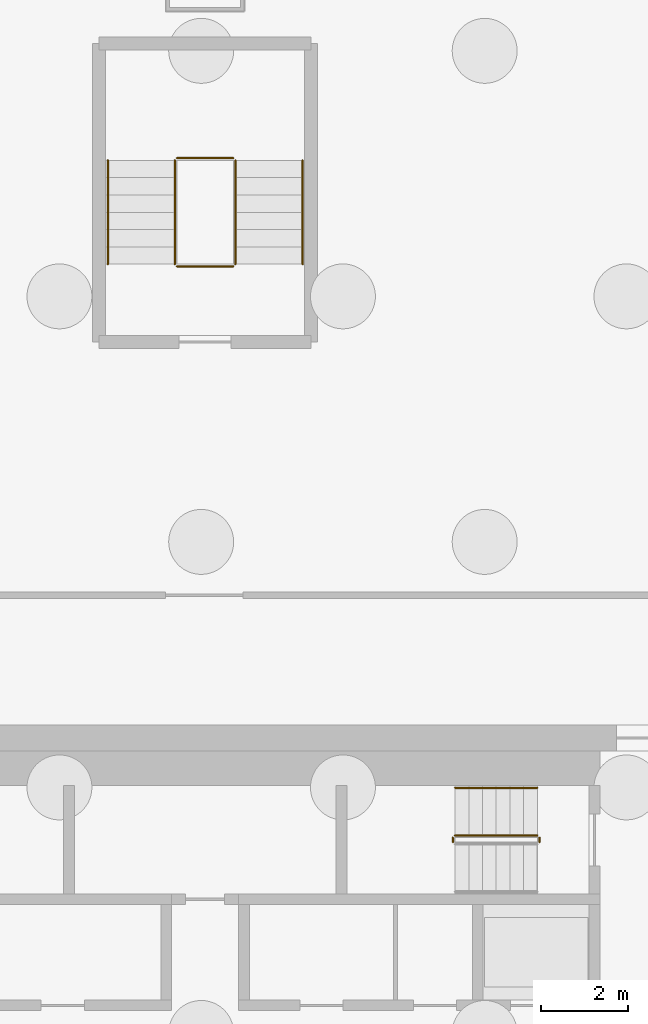
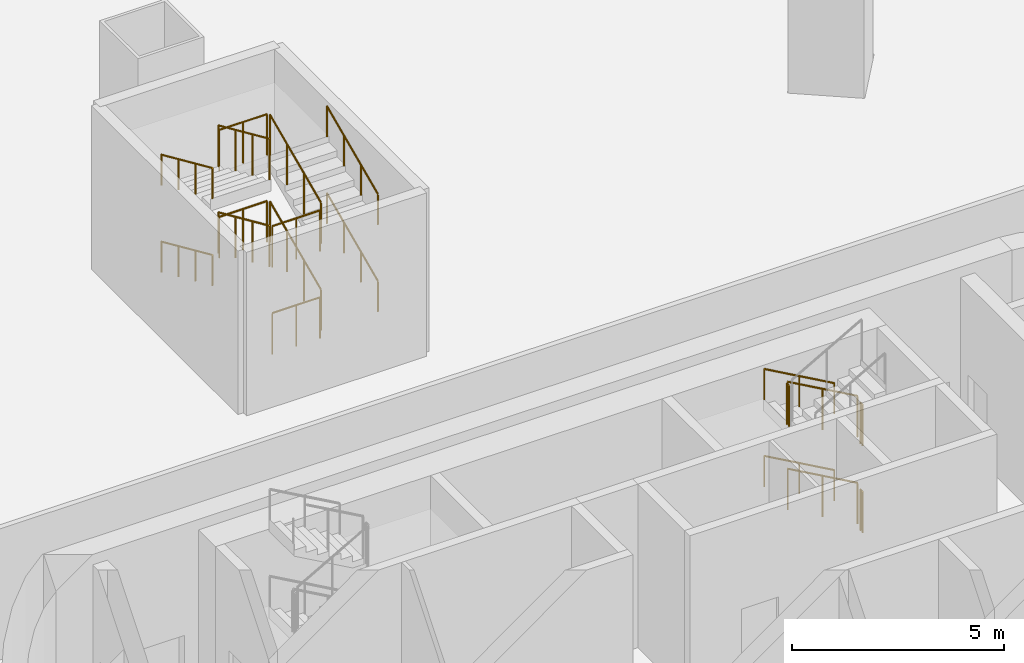
# One storey, part 18 of 19: 19 railings.
"""IFC4 building model written with IfcOpenShell, lengths in metres."""

from ifc_helpers import new_model, si_unit, direction, frame, origin, origin_2d, place, context, subcontext, project, spatial, circle, extrude, material, type_object, element, save


model = new_model("IFC4")

# Units and contexts
model_context = context("Model", 3, precision=1e-05, world=origin(), true_north=direction((0.0, 1.0)))
body_context = subcontext(model_context, "Body", "Model", "MODEL_VIEW")
ifc_project = project(units=[si_unit("LENGTHUNIT", "METRE"), si_unit("AREAUNIT", "SQUARE_METRE"), si_unit("VOLUMEUNIT", "CUBIC_METRE"), si_unit("PLANEANGLEUNIT", "RADIAN"), si_unit("MASSUNIT", "GRAM", prefix="KILO")], contexts=[model_context])

# Site, building, storey
site_placement = place(None, origin())
site = spatial("IfcSite", under=ifc_project, at=site_placement, CompositionType="ELEMENT")
building_placement = place(site_placement, origin())
building = spatial("IfcBuilding", under=site, at=building_placement, Name="Sahrelin Media Tower", CompositionType="ELEMENT")
storey_placement = place(building_placement, frame((0.0, 0.0, -5.0)))
storey = spatial("IfcBuildingStorey", under=building, at=storey_placement, Name="B1", CompositionType="ELEMENT", Elevation=-5.0)

# Railings
ifc_material = material(Name="Steel S355", Category="steel")
railing_type_1 = type_object("IfcRailingType", Name="Stair guard 1200", PredefinedType="GUARDRAIL", material=ifc_material)
railing_1_placement = place(storey_placement, frame((7.675048828125, 5.449951171875, 0.178466796875)))
element("IfcRailing", 1, at=railing_1_placement, inside=storey, type_object=railing_type_1, Name="B1 ST3 stair guard 1", PredefinedType="GUARDRAIL", context=body_context, shape_type="SweptSolid", body=[
    extrude(circle(Radius=0.02392578125, at=origin_2d()), frame((0.0, 0.0, 1.17578125), z_axis=(-0.871046000135, 0.0, 0.491201451188), x_axis=(0.0, -1.0, 0.0)), (0.0, 0.0, 1.0), 2.181396484375),
    extrude(circle(Radius=0.02099609375, at=origin_2d()), origin(), (0.0, 0.0, 1.0), 1.15185546875),
    extrude(circle(Radius=0.02099609375, at=origin_2d()), frame((-0.9501953125, 0.0, 0.53564453125)), (0.0, 0.0, 1.0), 1.15185546875),
    extrude(circle(Radius=0.02099609375, at=origin_2d()), frame((-1.900146484375, 0.0, 1.071533203125)), (0.0, 0.0, 1.0), 1.15185546875),
])
railing_2_placement = place(storey_placement, frame((7.72509765625, 5.39990234375, 2.5)))
element("IfcRailing", 2, at=railing_2_placement, inside=storey, type_object=railing_type_1, Name="B1 ST3 stair guard 4", PredefinedType="GUARDRAIL", context=body_context, shape_type="SweptSolid", body=[
    extrude(circle(Radius=0.02392578125, at=origin_2d()), frame((0.0, 0.0, 1.17578125), z_axis=(0.0, -1.0, 0.0), x_axis=(1.0, 0.0, 0.0)), (0.0, 0.0, 1.0), 0.099853515625),
    extrude(circle(Radius=0.02099609375, at=origin_2d()), origin(), (0.0, 0.0, 1.0), 1.15185546875),
    extrude(circle(Radius=0.02099609375, at=origin_2d()), frame((0.0, -0.099853515625, 0.0)), (0.0, 0.0, 1.0), 1.15185546875),
])
railing_3_placement = place(storey_placement, frame((7.675048828125, 5.449951171875, 2.678466796875)))
element("IfcRailing", 3, at=railing_3_placement, inside=storey, type_object=railing_type_1, Name="B1 ST3 stair guard 5", PredefinedType="GUARDRAIL", context=body_context, shape_type="SweptSolid", body=[
    extrude(circle(Radius=0.02392578125, at=origin_2d()), frame((0.0, 0.0, 1.17578125), z_axis=(-0.871046000135, 0.0, 0.491201451188), x_axis=(0.0, -1.0, 0.0)), (0.0, 0.0, 1.0), 2.181396484375),
    extrude(circle(Radius=0.02099609375, at=origin_2d()), origin(), (0.0, 0.0, 1.0), 1.15185546875),
    extrude(circle(Radius=0.02099609375, at=origin_2d()), frame((-0.9501953125, 0.0, 0.53564453125)), (0.0, 0.0, 1.0), 1.15185546875),
    extrude(circle(Radius=0.02099609375, at=origin_2d()), frame((-1.900146484375, 0.0, 1.071533203125)), (0.0, 0.0, 1.0), 1.15185546875),
])
for number, where, name in (
    (4, (5.72509765625, 5.39990234375, 3.75), "B1 ST3 stair guard 6"),
    (5, (7.72509765625, 5.39990234375, 0.0), "B1 ST3 stair guard 8"),
):
    element("IfcRailing", number, at=place(storey_placement, frame(where)), inside=storey, type_object=railing_type_1, Name=name, PredefinedType="GUARDRAIL", context=body_context, shape_type="SweptSolid", body=[
        extrude(circle(Radius=0.02392578125, at=origin_2d()), frame((0.0, 0.0, 1.17578125), z_axis=(0.0, -1.0, 0.0), x_axis=(1.0, 0.0, 0.0)), (0.0, 0.0, 1.0), 0.099853515625),
        extrude(circle(Radius=0.02099609375, at=origin_2d()), origin(), (0.0, 0.0, 1.0), 1.15185546875),
        extrude(circle(Radius=0.02099609375, at=origin_2d()), frame((0.0, -0.099853515625, 0.0)), (0.0, 0.0, 1.0), 1.15185546875),
    ])
railing_4_placement = place(storey_placement, frame((0.699951171875, 18.64990234375, 0.178466796875)))
element("IfcRailing", 6, at=railing_4_placement, inside=storey, type_object=railing_type_1, Name="B1 BS1 stair guard 1", PredefinedType="GUARDRAIL", context=body_context, shape_type="SweptSolid", body=[
    extrude(circle(Radius=0.02392578125, at=origin_2d()), frame((0.0, 0.0, 1.17578125), z_axis=(0.0, 0.913132325675, 0.407663287294), x_axis=(-1.0, 0.0, 0.0)), (0.0, 0.0, 1.0), 2.62841796875),
    extrude(circle(Radius=0.02099609375, at=origin_2d()), origin(), (0.0, 0.0, 1.0), 1.15185546875),
    extrude(circle(Radius=0.02099609375, at=origin_2d()), frame((0.0, 0.800048828125, 0.357177734375)), (0.0, 0.0, 1.0), 1.15185546875),
    extrude(circle(Radius=0.02099609375, at=origin_2d()), frame((0.0, 1.60009765625, 0.71435546875)), (0.0, 0.0, 1.0), 1.15185546875),
    extrude(circle(Radius=0.02099609375, at=origin_2d()), frame((0.0, 2.400146484375, 1.071533203125)), (0.0, 0.0, 1.0), 1.15185546875),
])
railing_5_placement = place(storey_placement, frame((0.64990234375, 21.10009765625, 1.25)))
element("IfcRailing", 7, at=railing_5_placement, inside=storey, type_object=railing_type_1, Name="B1 BS1 stair guard 2", PredefinedType="GUARDRAIL", context=body_context, shape_type="SweptSolid", body=[
    extrude(circle(Radius=0.02392578125, at=origin_2d()), frame((0.0, 0.0, 1.17578125), z_axis=(-1.0, 0.0, 0.0), x_axis=(0.0, -1.0, 0.0)), (0.0, 0.0, 1.0), 1.2998046875),
    extrude(circle(Radius=0.02099609375, at=origin_2d()), origin(), (0.0, 0.0, 1.0), 1.15185546875),
    extrude(circle(Radius=0.02099609375, at=origin_2d()), frame((-0.64990234375, 0.0, 0.0)), (0.0, 0.0, 1.0), 1.15185546875),
    extrude(circle(Radius=0.02099609375, at=origin_2d()), frame((-1.2998046875, 0.0, 0.0)), (0.0, 0.0, 1.0), 1.15185546875),
])
railing_6_placement = place(storey_placement, frame((-0.699951171875, 21.050048828125, 1.428466796875)))
element("IfcRailing", 8, at=railing_6_placement, inside=storey, type_object=railing_type_1, Name="B1 BS1 stair guard 3", PredefinedType="GUARDRAIL", context=body_context, shape_type="SweptSolid", body=[
    extrude(circle(Radius=0.02392578125, at=origin_2d()), frame((0.0, 0.0, 1.17578125), z_axis=(0.0, -0.913132325675, 0.407663287294), x_axis=(1.0, 0.0, 0.0)), (0.0, 0.0, 1.0), 2.62841796875),
    extrude(circle(Radius=0.02099609375, at=origin_2d()), origin(), (0.0, 0.0, 1.0), 1.15185546875),
    extrude(circle(Radius=0.02099609375, at=origin_2d()), frame((0.0, -0.800048828125, 0.357177734375)), (0.0, 0.0, 1.0), 1.15185546875),
    extrude(circle(Radius=0.02099609375, at=origin_2d()), frame((0.0, -1.60009765625, 0.71435546875)), (0.0, 0.0, 1.0), 1.15185546875),
    extrude(circle(Radius=0.02099609375, at=origin_2d()), frame((0.0, -2.400146484375, 1.071533203125)), (0.0, 0.0, 1.0), 1.15185546875),
])
railing_7_placement = place(storey_placement, frame((0.64990234375, 18.60009765625, 2.5)))
element("IfcRailing", 9, at=railing_7_placement, inside=storey, type_object=railing_type_1, Name="B1 BS1 stair guard 4", PredefinedType="GUARDRAIL", context=body_context, shape_type="SweptSolid", body=[
    extrude(circle(Radius=0.02392578125, at=origin_2d()), frame((0.0, 0.0, 1.17578125), z_axis=(-1.0, 0.0, 0.0), x_axis=(0.0, -1.0, 0.0)), (0.0, 0.0, 1.0), 1.2998046875),
    extrude(circle(Radius=0.02099609375, at=origin_2d()), origin(), (0.0, 0.0, 1.0), 1.15185546875),
    extrude(circle(Radius=0.02099609375, at=origin_2d()), frame((-0.64990234375, 0.0, 0.0)), (0.0, 0.0, 1.0), 1.15185546875),
    extrude(circle(Radius=0.02099609375, at=origin_2d()), frame((-1.2998046875, 0.0, 0.0)), (0.0, 0.0, 1.0), 1.15185546875),
])
railing_8_placement = place(storey_placement, frame((0.699951171875, 18.64990234375, 2.678466796875)))
element("IfcRailing", 10, at=railing_8_placement, inside=storey, type_object=railing_type_1, Name="B1 BS1 stair guard 5", PredefinedType="GUARDRAIL", context=body_context, shape_type="SweptSolid", body=[
    extrude(circle(Radius=0.02392578125, at=origin_2d()), frame((0.0, 0.0, 1.17578125), z_axis=(0.0, 0.913132325675, 0.407663287294), x_axis=(-1.0, 0.0, 0.0)), (0.0, 0.0, 1.0), 2.62841796875),
    extrude(circle(Radius=0.02099609375, at=origin_2d()), origin(), (0.0, 0.0, 1.0), 1.15185546875),
    extrude(circle(Radius=0.02099609375, at=origin_2d()), frame((0.0, 0.800048828125, 0.357177734375)), (0.0, 0.0, 1.0), 1.15185546875),
    extrude(circle(Radius=0.02099609375, at=origin_2d()), frame((0.0, 1.60009765625, 0.71435546875)), (0.0, 0.0, 1.0), 1.15185546875),
    extrude(circle(Radius=0.02099609375, at=origin_2d()), frame((0.0, 2.400146484375, 1.071533203125)), (0.0, 0.0, 1.0), 1.15185546875),
])
railing_9_placement = place(storey_placement, frame((0.64990234375, 21.10009765625, 3.75)))
element("IfcRailing", 11, at=railing_9_placement, inside=storey, type_object=railing_type_1, Name="B1 BS1 stair guard 6", PredefinedType="GUARDRAIL", context=body_context, shape_type="SweptSolid", body=[
    extrude(circle(Radius=0.02392578125, at=origin_2d()), frame((0.0, 0.0, 1.17578125), z_axis=(-1.0, 0.0, 0.0), x_axis=(0.0, -1.0, 0.0)), (0.0, 0.0, 1.0), 1.2998046875),
    extrude(circle(Radius=0.02099609375, at=origin_2d()), origin(), (0.0, 0.0, 1.0), 1.15185546875),
    extrude(circle(Radius=0.02099609375, at=origin_2d()), frame((-0.64990234375, 0.0, 0.0)), (0.0, 0.0, 1.0), 1.15185546875),
    extrude(circle(Radius=0.02099609375, at=origin_2d()), frame((-1.2998046875, 0.0, 0.0)), (0.0, 0.0, 1.0), 1.15185546875),
])
railing_10_placement = place(storey_placement, frame((-0.699951171875, 21.050048828125, 3.928466796875)))
element("IfcRailing", 12, at=railing_10_placement, inside=storey, type_object=railing_type_1, Name="B1 BS1 stair guard 7", PredefinedType="GUARDRAIL", context=body_context, shape_type="SweptSolid", body=[
    extrude(circle(Radius=0.02392578125, at=origin_2d()), frame((0.0, 0.0, 1.17578125), z_axis=(0.0, -0.913132325675, 0.407663287294), x_axis=(1.0, 0.0, 0.0)), (0.0, 0.0, 1.0), 2.62841796875),
    extrude(circle(Radius=0.02099609375, at=origin_2d()), origin(), (0.0, 0.0, 1.0), 1.15185546875),
    extrude(circle(Radius=0.02099609375, at=origin_2d()), frame((0.0, -0.800048828125, 0.357177734375)), (0.0, 0.0, 1.0), 1.15185546875),
    extrude(circle(Radius=0.02099609375, at=origin_2d()), frame((0.0, -1.60009765625, 0.71435546875)), (0.0, 0.0, 1.0), 1.15185546875),
    extrude(circle(Radius=0.02099609375, at=origin_2d()), frame((0.0, -2.400146484375, 1.071533203125)), (0.0, 0.0, 1.0), 1.15185546875),
])
railing_11_placement = place(storey_placement, frame((0.64990234375, 18.60009765625, 0.0)))
element("IfcRailing", 13, at=railing_11_placement, inside=storey, type_object=railing_type_1, Name="B1 BS1 stair guard 8", PredefinedType="GUARDRAIL", context=body_context, shape_type="SweptSolid", body=[
    extrude(circle(Radius=0.02392578125, at=origin_2d()), frame((0.0, 0.0, 1.17578125), z_axis=(-1.0, 0.0, 0.0), x_axis=(0.0, -1.0, 0.0)), (0.0, 0.0, 1.0), 1.2998046875),
    extrude(circle(Radius=0.02099609375, at=origin_2d()), origin(), (0.0, 0.0, 1.0), 1.15185546875),
    extrude(circle(Radius=0.02099609375, at=origin_2d()), frame((-0.64990234375, 0.0, 0.0)), (0.0, 0.0, 1.0), 1.15185546875),
    extrude(circle(Radius=0.02099609375, at=origin_2d()), frame((-1.2998046875, 0.0, 0.0)), (0.0, 0.0, 1.0), 1.15185546875),
])
railing_type_2 = type_object("IfcRailingType", Name="Stair handrail 900", PredefinedType="HANDRAIL", material=ifc_material)
for number, where, name in (
    (14, (7.675048828125, 6.550048828125, 0.178466796875), "B1 ST3 stair handrail 1"),
    (15, (7.675048828125, 6.550048828125, 2.678466796875), "B1 ST3 stair handrail 3"),
):
    element("IfcRailing", number, at=place(storey_placement, frame(where)), inside=storey, type_object=railing_type_2, Name=name, PredefinedType="HANDRAIL", context=body_context, shape_type="SweptSolid", body=[
        extrude(circle(Radius=0.02392578125, at=origin_2d()), frame((0.0, 0.0, 0.8759765625), z_axis=(-0.871046000135, 0.0, 0.491201451188), x_axis=(0.0, -1.0, 0.0)), (0.0, 0.0, 1.0), 2.181396484375),
        extrude(circle(Radius=0.02099609375, at=origin_2d()), origin(), (0.0, 0.0, 1.0), 0.851806640625),
        extrude(circle(Radius=0.02099609375, at=origin_2d()), frame((-0.9501953125, 0.0, 0.53564453125)), (0.0, 0.0, 1.0), 0.851806640625),
        extrude(circle(Radius=0.02099609375, at=origin_2d()), frame((-1.900146484375, 0.0, 1.071533203125)), (0.0, 0.0, 1.0), 0.851806640625),
    ])
railing_12_placement = place(storey_placement, frame((2.25, 18.64990234375, 0.178466796875)))
element("IfcRailing", 16, at=railing_12_placement, inside=storey, type_object=railing_type_2, Name="B1 BS1 stair handrail 1", PredefinedType="HANDRAIL", context=body_context, shape_type="SweptSolid", body=[
    extrude(circle(Radius=0.02392578125, at=origin_2d()), frame((0.0, 0.0, 0.8759765625), z_axis=(0.0, 0.913132325675, 0.407663287294), x_axis=(-1.0, 0.0, 0.0)), (0.0, 0.0, 1.0), 2.62841796875),
    extrude(circle(Radius=0.02099609375, at=origin_2d()), origin(), (0.0, 0.0, 1.0), 0.851806640625),
    extrude(circle(Radius=0.02099609375, at=origin_2d()), frame((0.0, 0.800048828125, 0.357177734375)), (0.0, 0.0, 1.0), 0.851806640625),
    extrude(circle(Radius=0.02099609375, at=origin_2d()), frame((0.0, 1.60009765625, 0.71435546875)), (0.0, 0.0, 1.0), 0.851806640625),
    extrude(circle(Radius=0.02099609375, at=origin_2d()), frame((0.0, 2.400146484375, 1.071533203125)), (0.0, 0.0, 1.0), 0.851806640625),
])
railing_13_placement = place(storey_placement, frame((-2.25, 21.050048828125, 1.428466796875)))
element("IfcRailing", 17, at=railing_13_placement, inside=storey, type_object=railing_type_2, Name="B1 BS1 stair handrail 2", PredefinedType="HANDRAIL", context=body_context, shape_type="SweptSolid", body=[
    extrude(circle(Radius=0.02392578125, at=origin_2d()), frame((0.0, 0.0, 0.8759765625), z_axis=(0.0, -0.913132325675, 0.407663287294), x_axis=(1.0, 0.0, 0.0)), (0.0, 0.0, 1.0), 2.62841796875),
    extrude(circle(Radius=0.02099609375, at=origin_2d()), origin(), (0.0, 0.0, 1.0), 0.851806640625),
    extrude(circle(Radius=0.02099609375, at=origin_2d()), frame((0.0, -0.800048828125, 0.357177734375)), (0.0, 0.0, 1.0), 0.851806640625),
    extrude(circle(Radius=0.02099609375, at=origin_2d()), frame((0.0, -1.60009765625, 0.71435546875)), (0.0, 0.0, 1.0), 0.851806640625),
    extrude(circle(Radius=0.02099609375, at=origin_2d()), frame((0.0, -2.400146484375, 1.071533203125)), (0.0, 0.0, 1.0), 0.851806640625),
])
railing_14_placement = place(storey_placement, frame((2.25, 18.64990234375, 2.678466796875)))
element("IfcRailing", 18, at=railing_14_placement, inside=storey, type_object=railing_type_2, Name="B1 BS1 stair handrail 3", PredefinedType="HANDRAIL", context=body_context, shape_type="SweptSolid", body=[
    extrude(circle(Radius=0.02392578125, at=origin_2d()), frame((0.0, 0.0, 0.8759765625), z_axis=(0.0, 0.913132325675, 0.407663287294), x_axis=(-1.0, 0.0, 0.0)), (0.0, 0.0, 1.0), 2.62841796875),
    extrude(circle(Radius=0.02099609375, at=origin_2d()), origin(), (0.0, 0.0, 1.0), 0.851806640625),
    extrude(circle(Radius=0.02099609375, at=origin_2d()), frame((0.0, 0.800048828125, 0.357177734375)), (0.0, 0.0, 1.0), 0.851806640625),
    extrude(circle(Radius=0.02099609375, at=origin_2d()), frame((0.0, 1.60009765625, 0.71435546875)), (0.0, 0.0, 1.0), 0.851806640625),
    extrude(circle(Radius=0.02099609375, at=origin_2d()), frame((0.0, 2.400146484375, 1.071533203125)), (0.0, 0.0, 1.0), 0.851806640625),
])
railing_15_placement = place(storey_placement, frame((-2.25, 21.050048828125, 3.928466796875)))
element("IfcRailing", 19, at=railing_15_placement, inside=storey, type_object=railing_type_2, Name="B1 BS1 stair handrail 4", PredefinedType="HANDRAIL", context=body_context, shape_type="SweptSolid", body=[
    extrude(circle(Radius=0.02392578125, at=origin_2d()), frame((0.0, 0.0, 0.8759765625), z_axis=(0.0, -0.913132325675, 0.407663287294), x_axis=(1.0, 0.0, 0.0)), (0.0, 0.0, 1.0), 2.62841796875),
    extrude(circle(Radius=0.02099609375, at=origin_2d()), origin(), (0.0, 0.0, 1.0), 0.851806640625),
    extrude(circle(Radius=0.02099609375, at=origin_2d()), frame((0.0, -0.800048828125, 0.357177734375)), (0.0, 0.0, 1.0), 0.851806640625),
    extrude(circle(Radius=0.02099609375, at=origin_2d()), frame((0.0, -1.60009765625, 0.71435546875)), (0.0, 0.0, 1.0), 0.851806640625),
    extrude(circle(Radius=0.02099609375, at=origin_2d()), frame((0.0, -2.400146484375, 1.071533203125)), (0.0, 0.0, 1.0), 0.851806640625),
])

save(model, "model.ifc")
